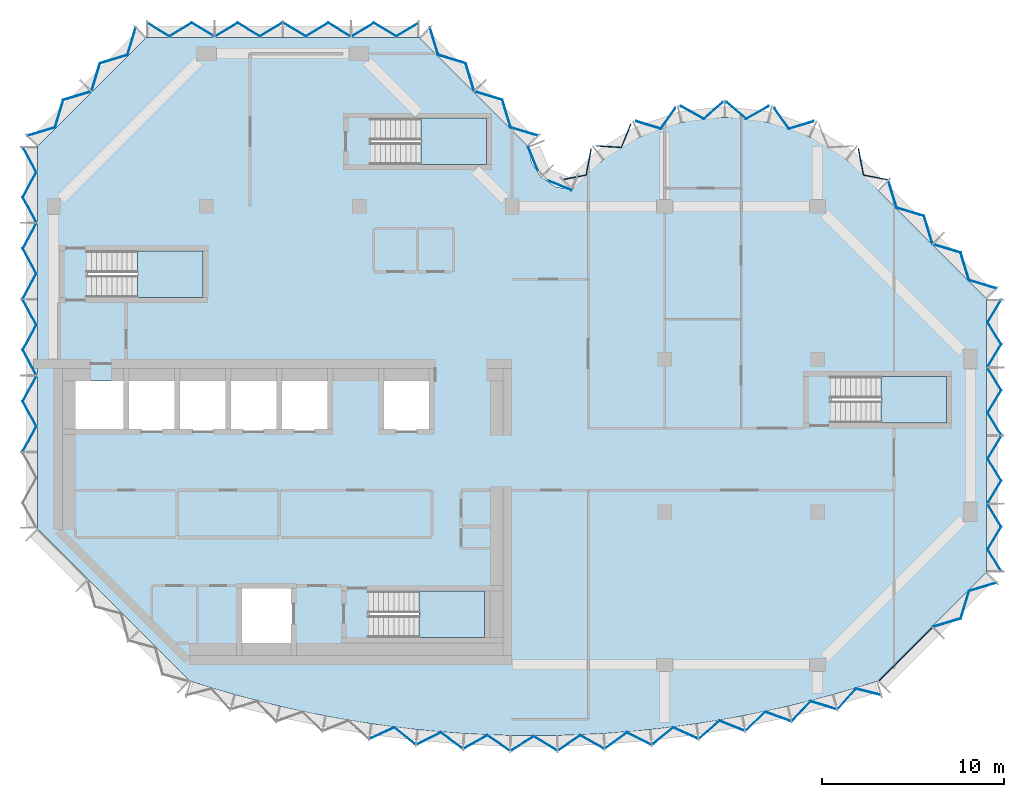
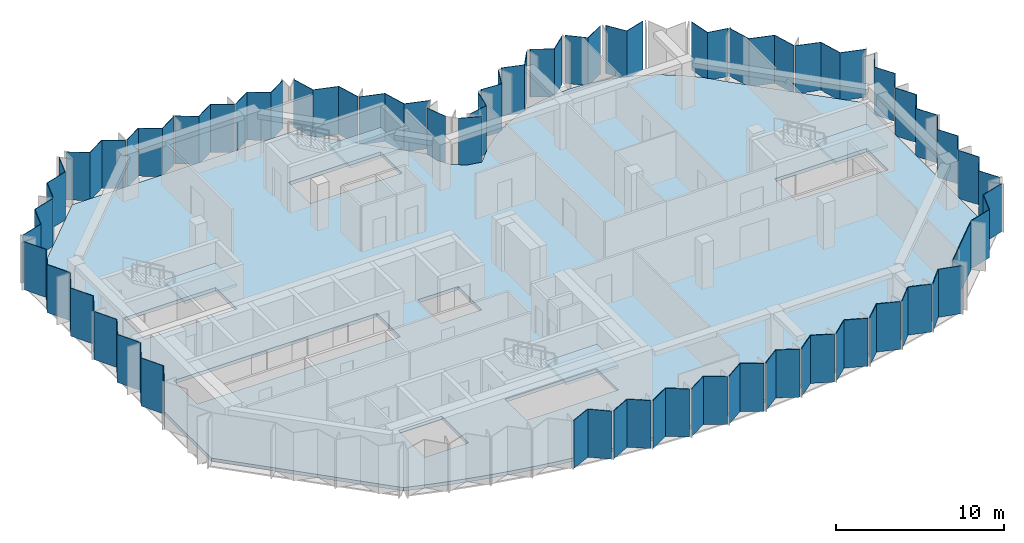
# One storey, part 3 of 9: 40 plates, 5 slabs, 14 elements without a shape of their own.
"""IFC4 building model written with IfcOpenShell, lengths in metres."""

from ifc_helpers import new_model, si_unit, direction, frame, origin, place, context, subcontext, project, spatial, polyline, outline, extrude, material, layer, layer_set, type_object, element, aggregate, save


model = new_model("IFC4")

# Units and contexts
model_context = context("Model", 3, precision=1e-05, world=origin(), true_north=direction((0.0, 1.0)))
body_context = subcontext(model_context, "Body", "Model", "MODEL_VIEW")
ifc_project = project(units=[si_unit("LENGTHUNIT", "METRE"), si_unit("AREAUNIT", "SQUARE_METRE"), si_unit("VOLUMEUNIT", "CUBIC_METRE"), si_unit("PLANEANGLEUNIT", "RADIAN"), si_unit("MASSUNIT", "GRAM", prefix="KILO")], contexts=[model_context])

# Site, building, storey
site_placement = place(None, origin())
site = spatial("IfcSite", under=ifc_project, at=site_placement, CompositionType="ELEMENT")
building_placement = place(site_placement, origin())
building = spatial("IfcBuilding", under=site, at=building_placement, Name="Brevane Broadcast Tower", CompositionType="ELEMENT")
storey_placement = place(building_placement, frame((0.0, 0.0, 244.5)))
storey = spatial("IfcBuildingStorey", under=building, at=storey_placement, Name="L62", CompositionType="ELEMENT", Elevation=244.5)

# Curtain wall, plates
ifc_material_1 = material(Name="Aluminium 6063-T6 bronze anodised", Category="aluminium")
curtain_wall_type = type_object("IfcCurtainWallType", Name="CW-1 curtain wall", PredefinedType="NOTDEFINED", material=ifc_material_1)
curtain_wall_1_placement = place(storey_placement, origin())
curtain_wall_1 = element("IfcCurtainWall", 1, at=curtain_wall_1_placement, inside=storey, type_object=curtain_wall_type, Name="CW-1 typical tilted unit L62 south bow", PredefinedType="NOTDEFINED")
ifc_material_2 = material(Name="Laminated glass bronze-tinted", Category="glass")
ifc_layer_1 = layer(ifc_material_2, 0.0400390625)
ifc_layer_set_1 = layer_set([ifc_layer_1], Name="CW tall glass panel 40")
plate_type = type_object("IfcPlateType", Name="CW tall glass panel 40", PredefinedType="CURTAIN_PANEL", material=ifc_layer_set_1)
plate_1_placement = place(storey_placement, frame((0.0, 0.0, -0.14990234375)))
plate_1 = element("IfcPlate", 2, at=plate_1_placement, type_object=plate_type, Name="CW-1 glass panel", PredefinedType="CURTAIN_PANEL", context=body_context, shape_type="SweptSolid", body=[
    extrude(outline(polyline([(17.424072265625, -4.021728515625), (17.4169921875, -4.06884765625), (18.72705078125, -3.47265625), (19.8466796875, -4.37451171875), (19.851806640625, -4.3271484375), (18.73291015625, -3.426025390625), (17.424072265625, -4.021728515625)])), origin(), (0.0, 0.0, 1.0), 3.5),
])
plate_2_placement = place(storey_placement, frame((0.0, 0.0, -0.14990234375)))
plate_2 = element("IfcPlate", 3, at=plate_2_placement, type_object=plate_type, Name="CW-1 glass panel", PredefinedType="CURTAIN_PANEL", context=body_context, shape_type="SweptSolid", body=[
    extrude(outline(polyline([(19.998046875, -4.3466796875), (19.992919921875, -4.39404296875), (21.27734375, -3.741943359375), (22.43359375, -4.594482421875), (22.4365234375, -4.547119140625), (21.28125, -3.695068359375), (19.998046875, -4.3466796875)])), origin(), (0.0, 0.0, 1.0), 3.5),
])
plate_3_placement = place(storey_placement, frame((0.0, 0.0, -0.14990234375)))
plate_3 = element("IfcPlate", 4, at=plate_3_placement, type_object=plate_type, Name="CW-1 glass panel", PredefinedType="CURTAIN_PANEL", context=body_context, shape_type="SweptSolid", body=[
    extrude(outline(polyline([(22.58349609375, -4.563720703125), (22.580322265625, -4.611083984375), (23.836669921875, -3.904541015625), (25.02783203125, -4.706787109375), (25.02880859375, -4.6591796875), (23.83837890625, -3.857666015625), (22.58349609375, -4.563720703125)])), origin(), (0.0, 0.0, 1.0), 3.5),
])
plate_4_placement = place(storey_placement, frame((0.0, 0.0, -0.14990234375)))
plate_4 = element("IfcPlate", 5, at=plate_4_placement, type_object=plate_type, Name="CW-1 glass panel", PredefinedType="CURTAIN_PANEL", context=body_context, shape_type="SweptSolid", body=[
    extrude(outline(polyline([(25.176025390625, -4.67236328125), (25.175048828125, -4.719970703125), (26.4052734375, -3.958984375), (27.634033203125, -4.70849609375), (27.633056640625, -4.6611328125), (26.4052734375, -3.912109375), (25.176025390625, -4.67236328125)])), origin(), (0.0, 0.0, 1.0), 3.5),
])
plate_5_placement = place(storey_placement, frame((0.0, 0.0, -0.14990234375)))
plate_5 = element("IfcPlate", 6, at=plate_5_placement, type_object=plate_type, Name="CW-1 glass panel", PredefinedType="CURTAIN_PANEL", context=body_context, shape_type="SweptSolid", body=[
    extrude(outline(polyline([(27.76171875, -4.65966796875), (27.7626953125, -4.70703125), (28.958740234375, -3.90478515625), (30.219482421875, -4.611083984375), (30.216552734375, -4.563720703125), (28.956787109375, -3.85791015625), (27.76171875, -4.65966796875)])), origin(), (0.0, 0.0, 1.0), 3.5),
])
plate_6_placement = place(storey_placement, frame((0.0, 0.0, -0.14990234375)))
plate_6 = element("IfcPlate", 7, at=plate_6_placement, type_object=plate_type, Name="CW-1 glass panel", PredefinedType="CURTAIN_PANEL", context=body_context, shape_type="SweptSolid", body=[
    extrude(outline(polyline([(30.36328125, -4.547119140625), (30.366455078125, -4.594482421875), (31.522705078125, -3.741943359375), (32.806884765625, -4.39404296875), (32.802001953125, -4.3466796875), (31.518798828125, -3.695068359375), (30.36328125, -4.547119140625)])), origin(), (0.0, 0.0, 1.0), 3.5),
])
plate_7_placement = place(storey_placement, frame((0.0, 0.0, -0.14990234375)))
plate_7 = element("IfcPlate", 8, at=plate_7_placement, type_object=plate_type, Name="CW-1 glass panel", PredefinedType="CURTAIN_PANEL", context=body_context, shape_type="SweptSolid", body=[
    extrude(outline(polyline([(32.9482421875, -4.3271484375), (32.953369140625, -4.37451171875), (34.072998046875, -3.47265625), (35.383056640625, -4.06884765625), (35.3759765625, -4.021728515625), (34.067138671875, -3.426025390625), (32.9482421875, -4.3271484375)])), origin(), (0.0, 0.0, 1.0), 3.5),
])
plate_8_placement = place(storey_placement, frame((0.0, 0.0, -0.14990234375)))
plate_8 = element("IfcPlate", 9, at=plate_8_placement, type_object=plate_type, Name="CW-1 glass panel", PredefinedType="CURTAIN_PANEL", context=body_context, shape_type="SweptSolid", body=[
    extrude(outline(polyline([(35.521728515625, -3.99951171875), (35.52880859375, -4.04638671875), (36.60986328125, -3.09716796875), (37.943115234375, -3.63671875), (37.93408203125, -3.58984375), (36.60205078125, -3.05078125), (35.521728515625, -3.99951171875)])), origin(), (0.0, 0.0, 1.0), 3.5),
])
plate_9_placement = place(storey_placement, frame((0.0, 0.0, -0.14990234375)))
plate_9 = element("IfcPlate", 10, at=plate_9_placement, type_object=plate_type, Name="CW-1 glass panel", PredefinedType="CURTAIN_PANEL", context=body_context, shape_type="SweptSolid", body=[
    extrude(outline(polyline([(38.07958984375, -3.564453125), (38.08837890625, -3.611328125), (39.128662109375, -2.615966796875), (40.48291015625, -3.09765625), (40.471923828125, -3.051513671875), (39.118896484375, -2.570068359375), (38.07958984375, -3.564453125)])), origin(), (0.0, 0.0, 1.0), 3.5),
])
plate_10_placement = place(storey_placement, frame((0.0, 0.0, -0.14990234375)))
plate_10 = element("IfcPlate", 11, at=plate_10_placement, type_object=plate_type, Name="CW-1 glass panel", PredefinedType="CURTAIN_PANEL", context=body_context, shape_type="SweptSolid", body=[
    extrude(outline(polyline([(40.61669921875, -3.023193359375), (40.627685546875, -3.069580078125), (41.62548828125, -2.030029296875), (42.997802734375, -2.453369140625), (42.985107421875, -2.407470703125), (41.613525390625, -1.984619140625), (40.61669921875, -3.023193359375)])), origin(), (0.0, 0.0, 1.0), 3.5),
])
plate_11_placement = place(storey_placement, frame((0.0, 0.0, -0.14990234375)))
plate_11 = element("IfcPlate", 12, at=plate_11_placement, type_object=plate_type, Name="CW-1 glass panel", PredefinedType="CURTAIN_PANEL", context=body_context, shape_type="SweptSolid", body=[
    extrude(outline(polyline([(43.12939453125, -2.376220703125), (43.14208984375, -2.421875), (44.114013671875, -1.334716796875), (45.501220703125, -1.68798828125), (45.48779296875, -1.643310546875), (44.100341796875, -1.289794921875), (43.12939453125, -2.376220703125)])), origin(), (0.0, 0.0, 1.0), 3.5),
])
aggregate(curtain_wall_1, [plate_1, plate_2, plate_3, plate_4, plate_5, plate_6, plate_7, plate_8, plate_9, plate_10, plate_11])

curtain_wall_2_placement = place(storey_placement, origin())
curtain_wall_2 = element("IfcCurtainWall", 13, at=curtain_wall_2_placement, inside=storey, type_object=curtain_wall_type, Name="CW-1 typical tilted unit L62 south-east chamfer", PredefinedType="NOTDEFINED")
plate_12_placement = place(storey_placement, frame((0.0, 0.0, -0.14990234375)))
plate_12 = element("IfcPlate", 14, at=plate_12_placement, type_object=plate_type, Name="CW-1 glass panel", PredefinedType="CURTAIN_PANEL", context=body_context, shape_type="SweptSolid", body=[
    extrude(outline(polyline([(45.345947265625, -0.896484375), (48.29638671875, 2.053955078125), (48.32470703125, 2.02587890625), (45.374267578125, -0.9248046875), (45.345947265625, -0.896484375)])), origin(), (0.0, 0.0, 1.0), 3.5),
])
plate_13_placement = place(storey_placement, frame((0.0, 0.0, -0.14990234375)))
plate_13 = element("IfcPlate", 15, at=plate_13_placement, type_object=plate_type, Name="CW-1 glass panel", PredefinedType="CURTAIN_PANEL", context=body_context, shape_type="SweptSolid", body=[
    extrude(outline(polyline([(48.343994140625, 2.10546875), (48.376220703125, 2.073486328125), (49.885986328125, 2.530517578125), (50.343017578125, 4.040283203125), (51.85302734375, 4.49755859375), (51.82080078125, 4.529541015625), (50.31103515625, 4.072509765625), (49.85400390625, 2.5625), (48.343994140625, 2.10546875)])), origin(), (0.0, 0.0, 1.0), 3.5),
])
aggregate(curtain_wall_2, [plate_12, plate_13])

curtain_wall_3_placement = place(storey_placement, origin())
curtain_wall_3 = element("IfcCurtainWall", 16, at=curtain_wall_3_placement, inside=storey, type_object=curtain_wall_type, Name="CW-1 typical tilted unit L62 east end", PredefinedType="NOTDEFINED")
plate_14_placement = place(storey_placement, frame((0.0, 0.0, -0.14990234375)))
plate_14 = element("IfcPlate", 17, at=plate_14_placement, type_object=plate_type, Name="CW-1 glass panel", PredefinedType="CURTAIN_PANEL", context=body_context, shape_type="SweptSolid", body=[
    extrude(outline(polyline([(52.071044921875, 5.135009765625), (52.117919921875, 5.135009765625), (51.373291015625, 6.36181640625), (52.117919921875, 7.58837890625), (51.373291015625, 8.81494140625), (51.32666015625, 8.81494140625), (52.071044921875, 7.58837890625), (51.32666015625, 6.36181640625), (52.071044921875, 5.135009765625)])), origin(), (0.0, 0.0, 1.0), 3.5),
])
plate_15_placement = place(storey_placement, frame((0.0, 0.0, -0.14990234375)))
plate_15 = element("IfcPlate", 18, at=plate_15_placement, type_object=plate_type, Name="CW-1 glass panel", PredefinedType="CURTAIN_PANEL", context=body_context, shape_type="SweptSolid", body=[
    extrude(outline(polyline([(51.32666015625, 8.885009765625), (51.373291015625, 8.885009765625), (52.117919921875, 10.11181640625), (51.373291015625, 11.33837890625), (52.117919921875, 12.56494140625), (52.071044921875, 12.56494140625), (51.32666015625, 11.33837890625), (52.071044921875, 10.11181640625), (51.32666015625, 8.885009765625)])), origin(), (0.0, 0.0, 1.0), 3.5),
])
plate_16_placement = place(storey_placement, frame((0.0, 0.0, -0.14990234375)))
plate_16 = element("IfcPlate", 19, at=plate_16_placement, type_object=plate_type, Name="CW-1 glass panel", PredefinedType="CURTAIN_PANEL", context=body_context, shape_type="SweptSolid", body=[
    extrude(outline(polyline([(52.071044921875, 12.635009765625), (52.117919921875, 12.635009765625), (51.373291015625, 13.86181640625), (52.117919921875, 15.08837890625), (51.373291015625, 16.31494140625), (51.32666015625, 16.31494140625), (52.071044921875, 15.08837890625), (51.32666015625, 13.86181640625), (52.071044921875, 12.635009765625)])), origin(), (0.0, 0.0, 1.0), 3.5),
])
plate_17_placement = place(storey_placement, frame((0.0, 0.0, -0.14990234375)))
plate_17 = element("IfcPlate", 20, at=plate_17_placement, type_object=plate_type, Name="CW-1 glass panel", PredefinedType="CURTAIN_PANEL", context=body_context, shape_type="SweptSolid", body=[
    extrude(outline(polyline([(51.32666015625, 16.385009765625), (51.373291015625, 16.385009765625), (52.117919921875, 17.61181640625), (51.373291015625, 18.83837890625), (52.117919921875, 20.06494140625), (52.071044921875, 20.06494140625), (51.32666015625, 18.83837890625), (52.071044921875, 17.61181640625), (51.32666015625, 16.385009765625)])), origin(), (0.0, 0.0, 1.0), 3.5),
])
aggregate(curtain_wall_3, [plate_14, plate_15, plate_16, plate_17])

curtain_wall_4_placement = place(storey_placement, origin())
curtain_wall_4 = element("IfcCurtainWall", 21, at=curtain_wall_4_placement, inside=storey, type_object=curtain_wall_type, Name="CW-1 typical tilted unit L62 north-east chamfer", PredefinedType="NOTDEFINED")
plate_18_placement = place(storey_placement, frame((0.0, 0.0, -0.14990234375)))
plate_18 = element("IfcPlate", 22, at=plate_18_placement, type_object=plate_type, Name="CW-1 glass panel", PredefinedType="CURTAIN_PANEL", context=body_context, shape_type="SweptSolid", body=[
    extrude(outline(polyline([(51.82080078125, 20.67041015625), (51.85302734375, 20.702392578125), (50.343017578125, 21.15966796875), (49.885986328125, 22.66943359375), (48.376220703125, 23.126708984375), (48.343994140625, 23.094482421875), (49.85400390625, 22.637451171875), (50.31103515625, 21.127685546875), (51.82080078125, 20.67041015625)])), origin(), (0.0, 0.0, 1.0), 3.5),
])
plate_19_placement = place(storey_placement, frame((0.0, 0.0, -0.14990234375)))
plate_19 = element("IfcPlate", 23, at=plate_19_placement, type_object=plate_type, Name="CW-1 glass panel", PredefinedType="CURTAIN_PANEL", context=body_context, shape_type="SweptSolid", body=[
    extrude(outline(polyline([(48.294677734375, 23.14404296875), (48.32666015625, 23.176025390625), (47.869384765625, 24.68603515625), (46.359619140625, 25.14306640625), (45.902587890625, 26.653076171875), (45.870361328125, 26.620849609375), (46.32763671875, 25.111083984375), (47.83740234375, 24.65380859375), (48.294677734375, 23.14404296875)])), origin(), (0.0, 0.0, 1.0), 3.5),
])
aggregate(curtain_wall_4, [plate_18, plate_19])

curtain_wall_5_placement = place(storey_placement, origin())
curtain_wall_5 = element("IfcCurtainWall", 24, at=curtain_wall_5_placement, inside=storey, type_object=curtain_wall_type, Name="CW-1 typical tilted unit L62 east bow", PredefinedType="NOTDEFINED")
plate_20_placement = place(storey_placement, frame((0.0, 0.0, -0.14990234375)))
plate_20 = element("IfcPlate", 25, at=plate_20_placement, type_object=plate_type, Name="CW-1 glass panel", PredefinedType="CURTAIN_PANEL", context=body_context, shape_type="SweptSolid", body=[
    extrude(outline(polyline([(45.79150390625, 26.656005859375), (45.82470703125, 26.690185546875), (44.539306640625, 26.9423828125), (44.263916015625, 28.3857421875), (44.231201171875, 28.34375), (44.5048828125, 26.908203125), (45.79150390625, 26.656005859375)])), origin(), (0.0, 0.0, 1.0), 3.5),
])
plate_21_placement = place(storey_placement, frame((0.0, 0.0, -0.14990234375)))
plate_21 = element("IfcPlate", 26, at=plate_21_placement, type_object=plate_type, Name="CW-1 glass panel", PredefinedType="CURTAIN_PANEL", context=body_context, shape_type="SweptSolid", body=[
    extrude(outline(polyline([(41.75537109375, 29.851806640625), (41.778564453125, 29.900634765625), (40.435546875, 29.494384765625), (39.6328125, 30.622802734375), (39.62060546875, 30.57080078125), (40.41943359375, 29.44775390625), (41.75537109375, 29.851806640625)])), origin(), (0.0, 0.0, 1.0), 3.5),
])
plate_22_placement = place(storey_placement, frame((0.0, 0.0, -0.14990234375)))
plate_22 = element("IfcPlate", 27, at=plate_22_placement, type_object=plate_type, Name="CW-1 glass panel", PredefinedType="CURTAIN_PANEL", context=body_context, shape_type="SweptSolid", body=[
    extrude(outline(polyline([(39.31640625, 30.68798828125), (39.328369140625, 30.740478515625), (38.069580078125, 30.036376953125), (37.008056640625, 30.94921875), (37.008056640625, 30.896484375), (38.064697265625, 29.98779296875), (39.31640625, 30.68798828125)])), origin(), (0.0, 0.0, 1.0), 3.5),
])
plate_23_placement = place(storey_placement, frame((0.0, 0.0, -0.14990234375)))
plate_23 = element("IfcPlate", 28, at=plate_23_placement, type_object=plate_type, Name="CW-1 glass panel", PredefinedType="CURTAIN_PANEL", context=body_context, shape_type="SweptSolid", body=[
    extrude(outline(polyline([(36.7919921875, 30.896484375), (36.7919921875, 30.94921875), (35.730224609375, 30.036376953125), (34.4716796875, 30.740478515625), (34.483642578125, 30.68798828125), (35.735107421875, 29.98779296875), (36.7919921875, 30.896484375)])), origin(), (0.0, 0.0, 1.0), 3.5),
])
plate_24_placement = place(storey_placement, frame((0.0, 0.0, -0.14990234375)))
plate_24 = element("IfcPlate", 29, at=plate_24_placement, type_object=plate_type, Name="CW-1 glass panel", PredefinedType="CURTAIN_PANEL", context=body_context, shape_type="SweptSolid", body=[
    extrude(outline(polyline([(34.17919921875, 30.57080078125), (34.167236328125, 30.622802734375), (33.364501953125, 29.494384765625), (32.021484375, 29.900634765625), (32.044677734375, 29.851806640625), (33.380615234375, 29.44775390625), (34.17919921875, 30.57080078125)])), origin(), (0.0, 0.0, 1.0), 3.5),
])
plate_25_placement = place(storey_placement, frame((0.0, 0.0, -0.14990234375)))
plate_25 = element("IfcPlate", 30, at=plate_25_placement, type_object=plate_type, Name="CW-1 glass panel", PredefinedType="CURTAIN_PANEL", context=body_context, shape_type="SweptSolid", body=[
    extrude(outline(polyline([(31.753173828125, 29.712890625), (31.729736328125, 29.76171875), (31.198486328125, 28.462890625), (29.816650390625, 28.551025390625), (29.849609375, 28.5087890625), (31.224609375, 28.42138671875), (31.753173828125, 29.712890625)])), origin(), (0.0, 0.0, 1.0), 3.5),
])
plate_26_placement = place(storey_placement, frame((0.0, 0.0, -0.14990234375)))
plate_26 = element("IfcPlate", 31, at=plate_26_placement, type_object=plate_type, Name="CW-1 glass panel", PredefinedType="CURTAIN_PANEL", context=body_context, shape_type="SweptSolid", body=[
    extrude(outline(polyline([(29.568603515625, 28.34375), (29.535888671875, 28.3857421875), (29.2607421875, 26.9423828125), (27.975341796875, 26.690185546875), (28.008544921875, 26.656005859375), (29.294921875, 26.908203125), (29.568603515625, 28.34375)])), origin(), (0.0, 0.0, 1.0), 3.5),
])
aggregate(curtain_wall_5, [plate_20, plate_21, plate_22, plate_23, plate_24, plate_25, plate_26])

curtain_wall_6_placement = place(storey_placement, origin())
curtain_wall_6 = element("IfcCurtainWall", 32, at=curtain_wall_6_placement, inside=storey, type_object=curtain_wall_type, Name="CW-1 typical tilted unit L62 inner corner", PredefinedType="NOTDEFINED")
plate_27_placement = place(storey_placement, frame((0.0, 0.0, -0.14990234375)))
plate_27 = element("IfcPlate", 33, at=plate_27_placement, type_object=plate_type, Name="CW-1 glass panel", PredefinedType="CURTAIN_PANEL", context=body_context, shape_type="SweptSolid", body=[
    extrude(outline(polyline([(28.45166015625, 26.07470703125), (28.466796875, 26.111572265625), (27.2021484375, 26.635498046875), (27.17138671875, 26.60498046875), (28.45166015625, 26.07470703125)])), origin(), (0.0, 0.0, 1.0), 3.5),
])
plate_28_placement = place(storey_placement, frame((0.0, 0.0, -0.14990234375)))
plate_28 = element("IfcPlate", 34, at=plate_28_placement, type_object=plate_type, Name="CW-1 glass panel", PredefinedType="CURTAIN_PANEL", context=body_context, shape_type="SweptSolid", body=[
    extrude(outline(polyline([(26.60498046875, 27.17138671875), (26.635498046875, 27.2021484375), (26.111572265625, 28.466796875), (26.07470703125, 28.45166015625), (26.60498046875, 27.17138671875)])), origin(), (0.0, 0.0, 1.0), 3.5),
])
aggregate(curtain_wall_6, [plate_27, plate_28])

curtain_wall_7_placement = place(storey_placement, origin())
curtain_wall_7 = element("IfcCurtainWall", 35, at=curtain_wall_7_placement, inside=storey, type_object=curtain_wall_type, Name="CW-1 typical tilted unit L62 north arm north-east chamfer", PredefinedType="NOTDEFINED")
plate_29_placement = place(storey_placement, frame((0.0, 0.0, -0.14990234375)))
plate_29 = element("IfcPlate", 36, at=plate_29_placement, type_object=plate_type, Name="CW-1 glass panel", PredefinedType="CURTAIN_PANEL", context=body_context, shape_type="SweptSolid", body=[
    extrude(outline(polyline([(26.620849609375, 29.0703125), (26.653076171875, 29.1025390625), (25.14306640625, 29.5595703125), (24.68603515625, 31.069580078125), (23.176025390625, 31.526611328125), (23.14404296875, 31.49462890625), (24.65380859375, 31.037353515625), (25.111083984375, 29.527587890625), (26.620849609375, 29.0703125)])), origin(), (0.0, 0.0, 1.0), 3.5),
])
plate_30_placement = place(storey_placement, frame((0.0, 0.0, -0.14990234375)))
plate_30 = element("IfcPlate", 37, at=plate_30_placement, type_object=plate_type, Name="CW-1 glass panel", PredefinedType="CURTAIN_PANEL", context=body_context, shape_type="SweptSolid", body=[
    extrude(outline(polyline([(23.094482421875, 31.544189453125), (23.126708984375, 31.576171875), (22.66943359375, 33.0859375), (21.15966796875, 33.543212890625), (20.702392578125, 35.052978515625), (20.67041015625, 35.02099609375), (21.127685546875, 33.510986328125), (22.637451171875, 33.053955078125), (23.094482421875, 31.544189453125)])), origin(), (0.0, 0.0, 1.0), 3.5),
])
aggregate(curtain_wall_7, [plate_29, plate_30])

curtain_wall_8_placement = place(storey_placement, origin())
curtain_wall_8 = element("IfcCurtainWall", 38, at=curtain_wall_8_placement, inside=storey, type_object=curtain_wall_type, Name="CW-1 typical tilted unit L62 north end", PredefinedType="NOTDEFINED")
plate_31_placement = place(storey_placement, frame((0.0, 0.0, -0.14990234375)))
plate_31 = element("IfcPlate", 39, at=plate_31_placement, type_object=plate_type, Name="CW-1 glass panel", PredefinedType="CURTAIN_PANEL", context=body_context, shape_type="SweptSolid", body=[
    extrude(outline(polyline([(20.06494140625, 35.27099609375), (20.06494140625, 35.31787109375), (18.83837890625, 34.573486328125), (17.61181640625, 35.31787109375), (16.385009765625, 34.573486328125), (16.385009765625, 34.526611328125), (17.61181640625, 35.27099609375), (18.83837890625, 34.526611328125), (20.06494140625, 35.27099609375)])), origin(), (0.0, 0.0, 1.0), 3.5),
])
plate_32_placement = place(storey_placement, frame((0.0, 0.0, -0.14990234375)))
plate_32 = element("IfcPlate", 40, at=plate_32_placement, type_object=plate_type, Name="CW-1 glass panel", PredefinedType="CURTAIN_PANEL", context=body_context, shape_type="SweptSolid", body=[
    extrude(outline(polyline([(16.31494140625, 34.526611328125), (16.31494140625, 34.573486328125), (15.08837890625, 35.31787109375), (13.86181640625, 34.573486328125), (12.635009765625, 35.31787109375), (12.635009765625, 35.27099609375), (13.86181640625, 34.526611328125), (15.08837890625, 35.27099609375), (16.31494140625, 34.526611328125)])), origin(), (0.0, 0.0, 1.0), 3.5),
])
plate_33_placement = place(storey_placement, frame((0.0, 0.0, -0.14990234375)))
plate_33 = element("IfcPlate", 41, at=plate_33_placement, type_object=plate_type, Name="CW-1 glass panel", PredefinedType="CURTAIN_PANEL", context=body_context, shape_type="SweptSolid", body=[
    extrude(outline(polyline([(12.56494140625, 35.27099609375), (12.56494140625, 35.31787109375), (11.33837890625, 34.573486328125), (10.11181640625, 35.31787109375), (8.885009765625, 34.573486328125), (8.885009765625, 34.526611328125), (10.11181640625, 35.27099609375), (11.33837890625, 34.526611328125), (12.56494140625, 35.27099609375)])), origin(), (0.0, 0.0, 1.0), 3.5),
])
plate_34_placement = place(storey_placement, frame((0.0, 0.0, -0.14990234375)))
plate_34 = element("IfcPlate", 42, at=plate_34_placement, type_object=plate_type, Name="CW-1 glass panel", PredefinedType="CURTAIN_PANEL", context=body_context, shape_type="SweptSolid", body=[
    extrude(outline(polyline([(8.81494140625, 34.526611328125), (8.81494140625, 34.573486328125), (7.58837890625, 35.31787109375), (6.36181640625, 34.573486328125), (5.135009765625, 35.31787109375), (5.135009765625, 35.27099609375), (6.36181640625, 34.526611328125), (7.58837890625, 35.27099609375), (8.81494140625, 34.526611328125)])), origin(), (0.0, 0.0, 1.0), 3.5),
])
aggregate(curtain_wall_8, [plate_31, plate_32, plate_33, plate_34])

curtain_wall_9_placement = place(storey_placement, origin())
curtain_wall_9 = element("IfcCurtainWall", 43, at=curtain_wall_9_placement, inside=storey, type_object=curtain_wall_type, Name="CW-1 typical tilted unit L62 north-west chamfer", PredefinedType="NOTDEFINED")
plate_35_placement = place(storey_placement, frame((0.0, 0.0, -0.14990234375)))
plate_35 = element("IfcPlate", 44, at=plate_35_placement, type_object=plate_type, Name="CW-1 glass panel", PredefinedType="CURTAIN_PANEL", context=body_context, shape_type="SweptSolid", body=[
    extrude(outline(polyline([(4.529541015625, 35.02099609375), (4.49755859375, 35.052978515625), (4.040283203125, 33.543212890625), (2.530517578125, 33.0859375), (2.073486328125, 31.576171875), (2.10546875, 31.544189453125), (2.5625, 33.053955078125), (4.072509765625, 33.510986328125), (4.529541015625, 35.02099609375)])), origin(), (0.0, 0.0, 1.0), 3.5),
])
plate_36_placement = place(storey_placement, frame((0.0, 0.0, -0.14990234375)))
plate_36 = element("IfcPlate", 45, at=plate_36_placement, type_object=plate_type, Name="CW-1 glass panel", PredefinedType="CURTAIN_PANEL", context=body_context, shape_type="SweptSolid", body=[
    extrude(outline(polyline([(2.055908203125, 31.49462890625), (2.02392578125, 31.526611328125), (0.513916015625, 31.069580078125), (0.056884765625, 29.5595703125), (-1.452880859375, 29.1025390625), (-1.4208984375, 29.0703125), (0.0888671875, 29.527587890625), (0.546142578125, 31.037353515625), (2.055908203125, 31.49462890625)])), origin(), (0.0, 0.0, 1.0), 3.5),
])
aggregate(curtain_wall_9, [plate_35, plate_36])

curtain_wall_10_placement = place(storey_placement, origin())
curtain_wall_10 = element("IfcCurtainWall", 46, at=curtain_wall_10_placement, inside=storey, type_object=curtain_wall_type, Name="CW-1 typical tilted unit L62 west face", PredefinedType="NOTDEFINED")
plate_37_placement = place(storey_placement, frame((0.0, 0.0, -0.14990234375)))
plate_37 = element("IfcPlate", 47, at=plate_37_placement, type_object=plate_type, Name="CW-1 glass panel", PredefinedType="CURTAIN_PANEL", context=body_context, shape_type="SweptSolid", body=[
    extrude(outline(polyline([(-1.671630859375, 28.465087890625), (-1.717041015625, 28.465087890625), (-0.97265625, 27.08837890625), (-1.717041015625, 25.711669921875), (-0.97265625, 24.3349609375), (-0.92724609375, 24.3349609375), (-1.671630859375, 25.711669921875), (-0.92724609375, 27.08837890625), (-1.671630859375, 28.465087890625)])), origin(), (0.0, 0.0, 1.0), 3.5),
])
plate_38_placement = place(storey_placement, frame((0.0, 0.0, -0.14990234375)))
plate_38 = element("IfcPlate", 48, at=plate_38_placement, type_object=plate_type, Name="CW-1 glass panel", PredefinedType="CURTAIN_PANEL", context=body_context, shape_type="SweptSolid", body=[
    extrude(outline(polyline([(-0.92724609375, 24.264892578125), (-0.97265625, 24.264892578125), (-1.717041015625, 22.88818359375), (-0.97265625, 21.51171875), (-1.717041015625, 20.135009765625), (-1.671630859375, 20.135009765625), (-0.92724609375, 21.51171875), (-1.671630859375, 22.88818359375), (-0.92724609375, 24.264892578125)])), origin(), (0.0, 0.0, 1.0), 3.5),
])
plate_39_placement = place(storey_placement, frame((0.0, 0.0, -0.14990234375)))
plate_39 = element("IfcPlate", 49, at=plate_39_placement, type_object=plate_type, Name="CW-1 glass panel", PredefinedType="CURTAIN_PANEL", context=body_context, shape_type="SweptSolid", body=[
    extrude(outline(polyline([(-1.671630859375, 20.06494140625), (-1.717041015625, 20.06494140625), (-0.97265625, 18.688232421875), (-1.717041015625, 17.311767578125), (-0.97265625, 15.93505859375), (-0.92724609375, 15.93505859375), (-1.671630859375, 17.311767578125), (-0.92724609375, 18.688232421875), (-1.671630859375, 20.06494140625)])), origin(), (0.0, 0.0, 1.0), 3.5),
])
plate_40_placement = place(storey_placement, frame((0.0, 0.0, -0.14990234375)))
plate_40 = element("IfcPlate", 50, at=plate_40_placement, type_object=plate_type, Name="CW-1 glass panel", PredefinedType="CURTAIN_PANEL", context=body_context, shape_type="SweptSolid", body=[
    extrude(outline(polyline([(-0.92724609375, 15.864990234375), (-0.97265625, 15.864990234375), (-1.717041015625, 14.48828125), (-0.97265625, 13.11181640625), (-1.717041015625, 11.735107421875), (-1.671630859375, 11.735107421875), (-0.92724609375, 13.11181640625), (-1.671630859375, 14.48828125), (-0.92724609375, 15.864990234375)])), origin(), (0.0, 0.0, 1.0), 3.5),
])
aggregate(curtain_wall_10, [plate_37, plate_38, plate_39, plate_40])

# Stair, slab
ifc_material_3 = material(Name="Concrete C50/60", Category="concrete")
stair_type = type_object("IfcStairType", Name="Exit stair 22 risers", PredefinedType="HALF_TURN_STAIR", material=ifc_material_3)
stair_1_placement = place(storey_placement, origin())
stair_1 = element("IfcStair", 51, at=stair_1_placement, inside=storey, type_object=stair_type, Name="L62 Exit stair ST-1", PredefinedType="HALF_TURN_STAIR")
ifc_layer_2 = layer(ifc_material_3, 0.199951171875)
ifc_layer_set_2 = layer_set([ifc_layer_2], Name="Exit stair landing")
slab_type_1 = type_object("IfcSlabType", Name="Exit stair landing", PredefinedType="LANDING", material=ifc_layer_set_2)
slab_1_placement = place(storey_placement, frame((0.0, 0.0, 1.60009765625)))
slab_1 = element("IfcSlab", 52, at=slab_1_placement, type_object=slab_type_1, Name="ST-1 landing 1", PredefinedType="LANDING", context=body_context, shape_type="SweptSolid", body=[
    extrude(outline(polyline([(4.60009765625, 20.199951171875), (8.199951171875, 20.199951171875), (8.199951171875, 22.75), (4.60009765625, 22.75), (4.60009765625, 20.199951171875)])), origin(), (0.0, 0.0, 1.0), 0.199951171875),
])
aggregate(stair_1, [slab_1])

stair_2_placement = place(storey_placement, origin())
stair_2 = element("IfcStair", 53, at=stair_2_placement, inside=storey, type_object=stair_type, Name="L62 Exit stair ST-2", PredefinedType="HALF_TURN_STAIR")
slab_2_placement = place(storey_placement, frame((0.0, 0.0, 1.60009765625)))
slab_2 = element("IfcSlab", 54, at=slab_2_placement, type_object=slab_type_1, Name="ST-2 landing 1", PredefinedType="LANDING", context=body_context, shape_type="SweptSolid", body=[
    extrude(outline(polyline([(20.10009765625, 1.5), (23.699951171875, 1.5), (23.699951171875, 4.050048828125), (20.10009765625, 4.050048828125), (20.10009765625, 1.5)])), origin(), (0.0, 0.0, 1.0), 0.199951171875),
])
aggregate(stair_2, [slab_2])

stair_3_placement = place(storey_placement, origin())
stair_3 = element("IfcStair", 55, at=stair_3_placement, inside=storey, type_object=stair_type, Name="L62 Exit stair ST-3", PredefinedType="HALF_TURN_STAIR")
slab_3_placement = place(storey_placement, frame((0.0, 0.0, 1.60009765625)))
slab_3 = element("IfcSlab", 56, at=slab_3_placement, type_object=slab_type_1, Name="ST-3 landing 1", PredefinedType="LANDING", context=body_context, shape_type="SweptSolid", body=[
    extrude(outline(polyline([(20.199951171875, 27.5), (23.800048828125, 27.5), (23.800048828125, 30.050048828125), (20.199951171875, 30.050048828125), (20.199951171875, 27.5)])), origin(), (0.0, 0.0, 1.0), 0.199951171875),
])
aggregate(stair_3, [slab_3])

stair_4_placement = place(storey_placement, origin())
stair_4 = element("IfcStair", 57, at=stair_4_placement, inside=storey, type_object=stair_type, Name="L62 Exit stair ST-4", PredefinedType="HALF_TURN_STAIR")
slab_4_placement = place(storey_placement, frame((0.0, 0.0, 1.60009765625)))
slab_4 = element("IfcSlab", 58, at=slab_4_placement, type_object=slab_type_1, Name="ST-4 landing 1", PredefinedType="LANDING", context=body_context, shape_type="SweptSolid", body=[
    extrude(outline(polyline([(45.5, 13.300048828125), (49.10009765625, 13.300048828125), (49.10009765625, 15.85009765625), (45.5, 15.85009765625), (45.5, 13.300048828125)])), origin(), (0.0, 0.0, 1.0), 0.199951171875),
])
aggregate(stair_4, [slab_4])

# Slab
ifc_material_4 = material(Name="Concrete C40/50", Category="concrete")
ifc_layer_3 = layer(ifc_material_4, 0.25)
ifc_layer_set_3 = layer_set([ifc_layer_3], Name="RC FLOOR SLAB 250 C40/50")
slab_type_2 = type_object("IfcSlabType", Name="RC FLOOR SLAB 250 C40/50", PredefinedType="FLOOR", material=ifc_layer_set_3)
slab_5_placement = place(storey_placement, frame((0.0, 0.0, -0.25)))
element("IfcSlab", 59, at=slab_5_placement, inside=storey, type_object=slab_type_2, Name="SL250 L62", PredefinedType="FLOOR", context=body_context, shape_type="SweptSolid", body=[
    extrude(outline(polyline([(-0.89990234375, 7.5), (-0.89990234375, 28.5), (5.10009765625, 34.5), (20.10009765625, 34.5), (26.10009765625, 28.5), (26.28271484375, 27.58154296875), (26.802978515625, 26.802978515625), (27.58154296875, 26.28271484375), (28.5, 26.10009765625), (29.431396484375, 27.10888671875), (30.48291015625, 27.99169921875), (31.6376953125, 28.734130859375), (32.877197265625, 29.324462890625), (34.181640625, 29.7529296875), (35.52978515625, 30.012939453125), (36.89990234375, 30.10009765625), (38.270263671875, 30.012939453125), (39.618408203125, 29.7529296875), (40.922607421875, 29.324462890625), (42.162353515625, 28.734130859375), (43.317138671875, 27.99169921875), (44.36865234375, 27.10888671875), (45.300048828125, 26.10009765625), (51.300048828125, 20.10009765625), (51.300048828125, 5.10009765625), (45.300048828125, -0.89990234375), (43.990234375, -1.310302734375), (42.671630859375, -1.691162109375), (41.3447265625, -2.0419921875), (40.01025390625, -2.36328125), (38.6689453125, -2.654052734375), (37.3212890625, -2.9150390625), (35.96826171875, -3.145263671875), (34.6103515625, -3.34521484375), (33.248291015625, -3.5146484375), (31.8828125, -3.6533203125), (30.5146484375, -3.76123046875), (29.144287109375, -3.83837890625), (27.7724609375, -3.884521484375), (26.39990234375, -3.89990234375), (25.027587890625, -3.884521484375), (23.65576171875, -3.83837890625), (22.285400390625, -3.76123046875), (20.917236328125, -3.6533203125), (19.5517578125, -3.5146484375), (18.189697265625, -3.34521484375), (16.831787109375, -3.145263671875), (15.478759765625, -2.9150390625), (14.131103515625, -2.654052734375), (12.789794921875, -2.36328125), (11.455322265625, -2.0419921875), (10.12841796875, -1.691162109375), (8.809814453125, -1.310302734375), (7.5, -0.89990234375), (-0.89990234375, 7.5)]), holes=[polyline([(13.199951171875, 4.39990234375), (10.199951171875, 4.39990234375), (10.199951171875, 1.199951171875), (13.199951171875, 1.199951171875), (13.199951171875, 4.39990234375)]), polyline([(4.0, 15.60009765625), (1.199951171875, 15.60009765625), (1.199951171875, 12.800048828125), (4.0, 12.800048828125), (6.800048828125, 12.800048828125), (9.60009765625, 12.800048828125), (12.39990234375, 12.800048828125), (15.199951171875, 12.800048828125), (15.199951171875, 15.60009765625), (12.39990234375, 15.60009765625), (9.60009765625, 15.60009765625), (6.800048828125, 15.60009765625), (4.0, 15.60009765625)]), polyline([(1.860107421875, 22.75), (1.860107421875, 20.199951171875), (8.199951171875, 20.199951171875), (8.199951171875, 22.75), (1.860107421875, 22.75)]), polyline([(23.699951171875, 4.050048828125), (17.360107421875, 4.050048828125), (17.360107421875, 1.5), (23.699951171875, 1.5), (23.699951171875, 4.050048828125)]), polyline([(20.800048828125, 15.60009765625), (18.0, 15.60009765625), (18.0, 12.800048828125), (20.800048828125, 12.800048828125), (20.800048828125, 15.60009765625)]), polyline([(49.10009765625, 15.85009765625), (42.760009765625, 15.85009765625), (42.760009765625, 13.300048828125), (49.10009765625, 13.300048828125), (49.10009765625, 15.85009765625)]), polyline([(23.800048828125, 30.050048828125), (17.4599609375, 30.050048828125), (17.4599609375, 27.5), (23.800048828125, 27.5), (23.800048828125, 30.050048828125)])]), origin(), (0.0, 0.0, 1.0), 0.25),
])

save(model, "model.ifc")
